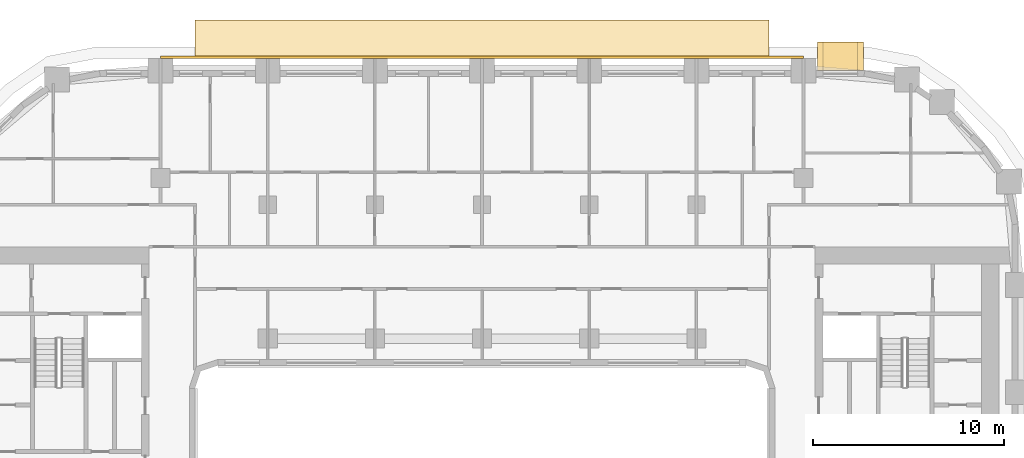
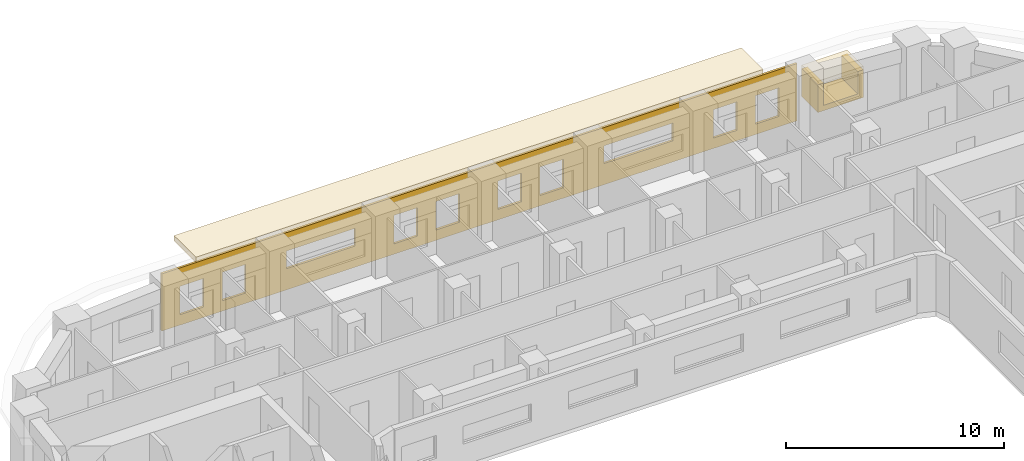
# One storey, part 21 of 22: 4 coverings.
"""IFC4 building model written with IfcOpenShell, lengths in metres."""

from ifc_helpers import new_model, si_unit, direction, frame, origin, origin_2d, place, context, subcontext, project, spatial, polyline, rectangle, outline, extrude, material, layer, layer_set, type_object, element, save


model = new_model("IFC4")

# Units and contexts
model_context = context("Model", 3, precision=1e-05, world=origin(), true_north=direction((0.0, 1.0)))
body_context = subcontext(model_context, "Body", "Model", "MODEL_VIEW")
ifc_project = project(units=[si_unit("LENGTHUNIT", "METRE"), si_unit("AREAUNIT", "SQUARE_METRE"), si_unit("VOLUMEUNIT", "CUBIC_METRE"), si_unit("PLANEANGLEUNIT", "RADIAN"), si_unit("MASSUNIT", "GRAM", prefix="KILO")], contexts=[model_context])

# Site, building, storey
site_placement = place(None, origin())
site = spatial("IfcSite", under=ifc_project, at=site_placement, CompositionType="ELEMENT")
building_placement = place(site_placement, origin())
building = spatial("IfcBuilding", under=site, at=building_placement, Name="Kiln Ring Residences", CompositionType="ELEMENT")
storey_placement = place(building_placement, frame((0.0, 0.0, 90.300048828125)))
storey = spatial("IfcBuildingStorey", under=building, at=storey_placement, Name="L22", CompositionType="ELEMENT", Elevation=90.300048828125)

# Coverings
ifc_material_1 = material(Name="Brick masonry, dark clay brick", Category="masonry")
ifc_layer_1 = layer(ifc_material_1, 0.300048828125)
ifc_layer_set_1 = layer_set([ifc_layer_1], Name="FRAME CHEEKS AND SILL 1500")
covering_type_1 = type_object("IfcCoveringType", Name="FRAME CHEEKS AND SILL 1500", PredefinedType="CLADDING", material=ifc_layer_set_1)
covering_1_placement = place(storey_placement, frame((19.925048828125, 23.14990234375, 0.599853515625), z_axis=(0.0, 0.0, 1.0), x_axis=(-1.0, 0.0, 0.0)))
element("IfcCovering", 1, at=covering_1_placement, inside=storey, type_object=covering_type_1, Name="FRAME L22", PredefinedType="CLADDING", context=body_context, shape_type="SweptSolid", body=[
    extrude(outline(polyline([(0.0, 0.0), (2.400146484375, 0.0), (2.39990234375, 1.550048828125), (2.10107421875, 1.550048828125), (2.10009765625, 0.300048828125), (0.300048828125, 0.300048828125), (0.299072265625, 1.550048828125), (0.0, 1.550048828125), (0.0, 0.0)])), frame((0.0, 0.75, 0.0), z_axis=(0.0, -1.0, 0.0), x_axis=(1.0, 0.0, 0.0)), (0.0, 0.0, 1.0), 1.5),
])
ifc_material_2 = material(Name="Brick masonry, dark clay brick", Category="masonry")
ifc_layer_2 = layer(ifc_material_2, 0.199951171875)
ifc_layer_set_2 = layer_set([ifc_layer_2], Name="FRAME HEAD 1500")
covering_type_2 = type_object("IfcCoveringType", Name="FRAME HEAD 1500", PredefinedType="CLADDING", material=ifc_layer_set_2)
covering_2_placement = place(storey_placement, frame((18.72509765625, 23.14990234375, 2.14990234375), z_axis=(0.0, 0.0, 1.0), x_axis=(-1.0, 0.0, 0.0)))
element("IfcCovering", 2, at=covering_2_placement, inside=storey, type_object=covering_type_2, Name="FRAME HEAD L22", PredefinedType="CLADDING", context=body_context, shape_type="SweptSolid", body=[
    extrude(rectangle(XDim=2.39990234375, YDim=1.5, at=origin_2d()), origin(), (0.0, 0.0, 1.0), 0.199951171875),
])
ifc_material_3 = material(Name="Brick masonry, dark clay brick", Category="masonry")
ifc_layer_3 = layer(ifc_material_3, 0.1201171875)
ifc_layer_set_3 = layer_set([ifc_layer_3], Name="RAINSCREEN PANEL 120")
covering_type_3 = type_object("IfcCoveringType", Name="RAINSCREEN PANEL 120", PredefinedType="CLADDING", material=ifc_layer_set_3)
covering_3_placement = place(storey_placement, frame((16.800048828125, 23.110107421875, 0.0), z_axis=(0.0, 0.0, 1.0), x_axis=(-1.0, 0.0, 0.0)))
element("IfcCovering", 3, at=covering_3_placement, inside=storey, type_object=covering_type_3, Name="RAINSCREEN L22", PredefinedType="CLADDING", context=body_context, shape_type="SweptSolid", body=[
    extrude(outline(polyline([(0.0, 0.0), (33.60009765625, 0.0), (33.60009765625, 3.199951171875), (0.0, 3.199951171875), (0.0, 0.0)]), holes=[polyline([(0.967529296875, 0.579833984375), (2.20751953125, 0.579833984375), (2.20751953125, 2.169921875), (0.967529296875, 2.169921875), (0.967529296875, 0.579833984375)]), polyline([(3.1923828125, 0.579833984375), (4.4326171875, 0.579833984375), (4.4326171875, 2.169921875), (3.1923828125, 2.169921875), (3.1923828125, 0.579833984375)]), polyline([(12.367431640625, 0.579833984375), (13.607421875, 0.579833984375), (13.607421875, 2.169921875), (12.367431640625, 2.169921875), (12.367431640625, 0.579833984375)]), polyline([(14.592529296875, 2.169921875), (14.592529296875, 0.579833984375), (15.83251953125, 0.579833984375), (15.83251953125, 2.169921875), (14.592529296875, 2.169921875)]), polyline([(17.867431640625, 2.169921875), (17.867431640625, 0.579833984375), (19.107421875, 0.579833984375), (19.107421875, 2.169921875), (17.867431640625, 2.169921875)]), polyline([(20.092529296875, 0.579833984375), (21.33251953125, 0.579833984375), (21.33251953125, 2.169921875), (20.092529296875, 2.169921875), (20.092529296875, 0.579833984375)]), polyline([(29.16748046875, 0.579833984375), (30.407470703125, 0.579833984375), (30.407470703125, 2.169921875), (29.16748046875, 2.169921875), (29.16748046875, 0.579833984375)]), polyline([(31.392578125, 0.579833984375), (32.632568359375, 0.579833984375), (32.632568359375, 2.169921875), (31.392578125, 2.169921875), (31.392578125, 0.579833984375)]), polyline([(6.580078125, 2.169921875), (6.580078125, 1.179931640625), (10.219970703125, 1.179931640625), (10.219970703125, 2.169921875), (6.580078125, 2.169921875)]), polyline([(23.3798828125, 2.169921875), (23.3798828125, 1.179931640625), (27.02001953125, 1.179931640625), (27.02001953125, 2.169921875), (23.3798828125, 2.169921875)])]), frame((0.0, 0.06005859375, 0.0), z_axis=(0.0, -1.0, 0.0), x_axis=(1.0, 0.0, 0.0)), (0.0, 0.0, 1.0), 0.1201171875),
])
ifc_material_4 = material(Name="Black powder-coated steel", Category="steel")
ifc_layer_4 = layer(ifc_material_4, 0.300048828125)
ifc_layer_set_4 = layer_set([ifc_layer_4], Name="SUNSHADE BAND 2000")
covering_type_4 = type_object("IfcCoveringType", Name="SUNSHADE BAND 2000", PredefinedType="CLADDING", material=ifc_layer_set_4)
covering_4_placement = place(storey_placement, frame((0.0, 0.0, 3.199951171875)))
element("IfcCovering", 4, at=covering_4_placement, inside=storey, type_object=covering_type_4, Name="SUNSHADE BAND L22", PredefinedType="CLADDING", context=body_context, shape_type="SweptSolid", body=[
    extrude(outline(polyline([(15.0, 25.050048828125), (-15.0, 25.050048828125), (-15.0, 23.050048828125), (15.0, 23.050048828125), (15.0, 25.050048828125)])), origin(), (0.0, 0.0, 1.0), 0.300048828125),
])

save(model, "model.ifc")
